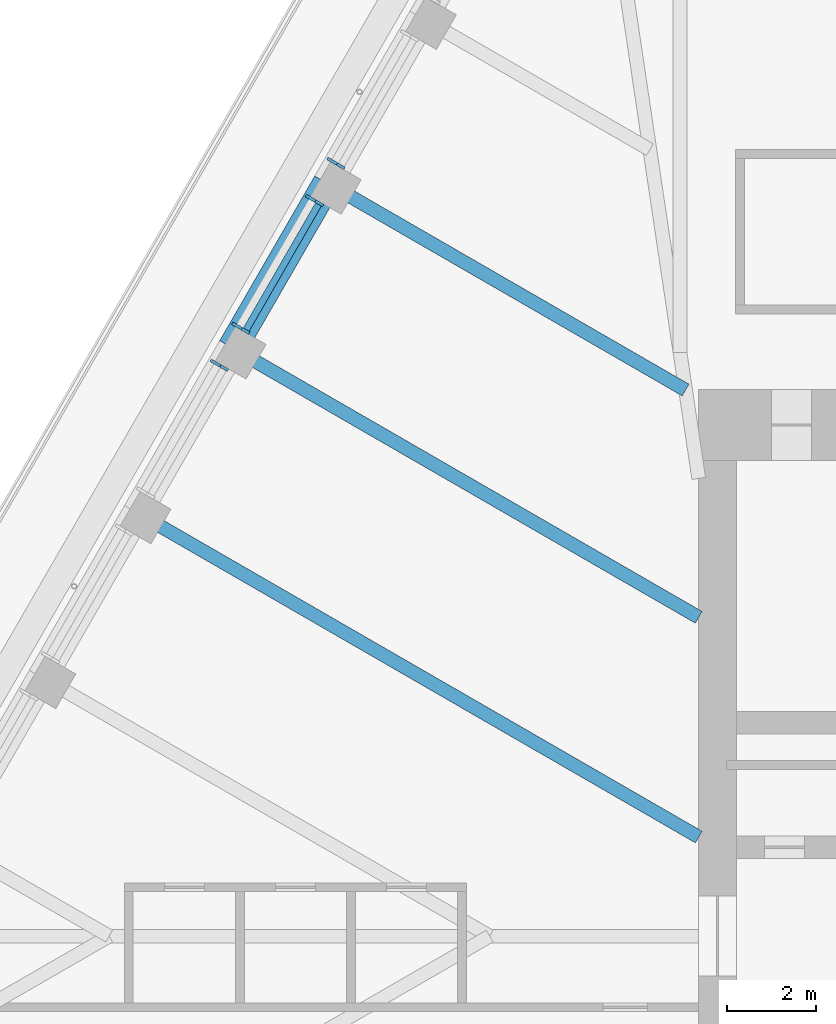
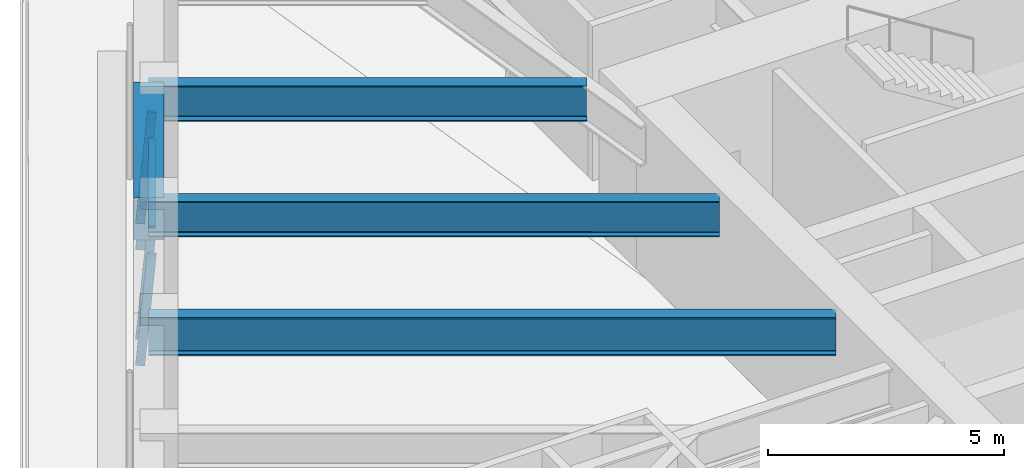
# One storey, part 7 of 19: 5 members, 4 beams, 3 elements without a shape of their own.
"""IFC4 building model written with IfcOpenShell, lengths in metres."""

from ifc_helpers import new_model, si_unit, direction, frame, origin, origin_2d, place, context, subcontext, project, spatial, rectangle, i_section, extrude, material, material_profile, profile_set, type_object, element, aggregate, save


model = new_model("IFC4")

# Units and contexts
model_context = context("Model", 3, precision=1e-05, world=origin(), true_north=direction((0.0, 1.0)))
body_context = subcontext(model_context, "Body", "Model", "MODEL_VIEW")
ifc_project = project(units=[si_unit("LENGTHUNIT", "METRE"), si_unit("AREAUNIT", "SQUARE_METRE"), si_unit("VOLUMEUNIT", "CUBIC_METRE"), si_unit("PLANEANGLEUNIT", "RADIAN"), si_unit("MASSUNIT", "GRAM", prefix="KILO")], contexts=[model_context])

# Site, building, storey
site_placement = place(None, origin())
site = spatial("IfcSite", under=ifc_project, at=site_placement, CompositionType="ELEMENT")
building_placement = place(site_placement, origin())
building = spatial("IfcBuilding", under=site, at=building_placement, Name="Tarfa Lantern Tower", CompositionType="ELEMENT")
storey_placement = place(building_placement, frame((0.0, 0.0, 357.699951171875)))
storey = spatial("IfcBuildingStorey", under=building, at=storey_placement, Name="L81", CompositionType="ELEMENT", Elevation=357.699951171875)

# Curtain wall, member
ifc_material_1 = material(Name="Aluminium framed curtain wall", Category="aluminium")
curtain_wall_type = type_object("IfcCurtainWallType", Name="CW4 CANTED GLAZING EXECUTIVE ZONE 2900", PredefinedType="USERDEFINED", material=ifc_material_1)
curtain_wall_1_placement = place(storey_placement, origin())
curtain_wall_1 = element("IfcCurtainWall", 1, at=curtain_wall_1_placement, inside=storey, type_object=curtain_wall_type, Name="CW4 NW L81", ObjectType="CURTAIN WALL", PredefinedType="USERDEFINED")
ifc_material_2 = material(Name="Aluminium mullion", Category="aluminium")
ifc_material_profile_1 = material_profile(ifc_material_2, rectangle(XDim=0.06494140625, YDim=0.199951171875, at=origin_2d()), Name="AL MULLION 65x200")
ifc_profile_set_1 = profile_set([ifc_material_profile_1], Name="Aluminium mullion")
member_type_1 = type_object("IfcMemberType", Name="CWM1 MULLION 65x200", PredefinedType="MULLION", material=ifc_profile_set_1)
member_1_placement = place(storey_placement, frame((-20.697265625, 17.451171875, 0.0), z_axis=(0.074393603155, -0.042941967097, 0.996303959277), x_axis=(0.499919672301, 0.866071776036, 0.0)))
member_1 = element("IfcMember", 2, at=member_1_placement, type_object=member_type_1, Name="CW4 mullion 2", PredefinedType="MULLION", context=body_context, shape_type="SweptSolid", body=[
    extrude(rectangle(XDim=0.06494140625, YDim=0.199951171875, at=origin_2d()), origin(), (0.0, 0.0, 1.0), 2.910888671875),
])
aggregate(curtain_wall_1, [member_1])

# Curtain wall, members
curtain_wall_2_placement = place(storey_placement, origin())
curtain_wall_2 = element("IfcCurtainWall", 3, at=curtain_wall_2_placement, inside=storey, type_object=curtain_wall_type, Name="CW4 NW L81", ObjectType="CURTAIN WALL", PredefinedType="USERDEFINED")
member_2_placement = place(storey_placement, frame((-21.179931640625, 16.615478515625, 0.0), z_axis=(0.074393603155, -0.042941967097, 0.996303959277), x_axis=(0.499919672301, 0.866071776036, 0.0)))
member_2 = element("IfcMember", 4, at=member_2_placement, type_object=member_type_1, Name="CW4 mullion 1", PredefinedType="MULLION", context=body_context, shape_type="SweptSolid", body=[
    extrude(rectangle(XDim=0.06494140625, YDim=0.199951171875, at=origin_2d()), origin(), (0.0, 0.0, 1.0), 2.910888671875),
])
member_3_placement = place(storey_placement, frame((-22.83837890625, 13.742919921875, 0.0), z_axis=(0.074393603155, -0.042941967097, 0.996303959277), x_axis=(0.499919672301, 0.866071776036, 0.0)))
member_3 = element("IfcMember", 5, at=member_3_placement, type_object=member_type_1, Name="CW4 mullion 2", PredefinedType="MULLION", context=body_context, shape_type="SweptSolid", body=[
    extrude(rectangle(XDim=0.06494140625, YDim=0.199951171875, at=origin_2d()), origin(), (0.0, 0.0, 1.0), 2.910888671875),
])

# Curtain wall, member
curtain_wall_3_placement = place(storey_placement, origin())
curtain_wall_3 = element("IfcCurtainWall", 6, at=curtain_wall_3_placement, inside=storey, type_object=curtain_wall_type, Name="CW4 NW L81", ObjectType="CURTAIN WALL", PredefinedType="USERDEFINED")
member_4_placement = place(storey_placement, frame((-23.32080078125, 12.9072265625, 0.0), z_axis=(0.074393603155, -0.042941967097, 0.996303959277), x_axis=(0.499919672301, 0.866071776036, 0.0)))
member_4 = element("IfcMember", 7, at=member_4_placement, type_object=member_type_1, Name="CW4 mullion 1", PredefinedType="MULLION", context=body_context, shape_type="SweptSolid", body=[
    extrude(rectangle(XDim=0.06494140625, YDim=0.199951171875, at=origin_2d()), origin(), (0.0, 0.0, 1.0), 2.910888671875),
])
aggregate(curtain_wall_3, [member_4])

# Member
ifc_material_3 = material(Name="Aluminium transom", Category="aluminium")
ifc_material_profile_2 = material_profile(ifc_material_3, rectangle(XDim=0.14990234375, YDim=0.06494140625, at=origin_2d()), Name="AL TRANSOM 150x65")
ifc_profile_set_2 = profile_set([ifc_material_profile_2], Name="Aluminium transom")
member_type_2 = type_object("IfcMemberType", Name="CWT1 TRANSOM 150x65", PredefinedType="USERDEFINED", material=ifc_profile_set_2)
member_5_placement = place(storey_placement, frame((-20.98193359375, 16.463623046875, 2.867431640625), z_axis=(-0.500014901547, -0.866016800201, 0.0), x_axis=(0.866016800201, -0.500014901547, 0.0)))
member_5 = element("IfcMember", 8, at=member_5_placement, type_object=member_type_2, Name="CW4 transom 1.2", ObjectType="TRANSOM", PredefinedType="USERDEFINED", context=body_context, shape_type="SweptSolid", body=[
    extrude(rectangle(XDim=0.14990234375, YDim=0.06494140625, at=origin_2d()), origin(), (0.0, 0.0, 1.0), 3.251953125),
])

aggregate(curtain_wall_2, [member_2, member_3, member_5])

# Beams
ifc_material_4 = material(Name="Concrete C80/95", Category="concrete")
ifc_material_profile_3 = material_profile(ifc_material_4, rectangle(XDim=0.64990234375, YDim=1.10009765625, at=origin_2d()), Name="RC 650x1100")
ifc_profile_set_3 = profile_set([ifc_material_profile_3], Name="Concrete C80/95")
beam_type_1 = type_object("IfcBeamType", Name="EB4 RC 650x1100", PredefinedType="SPANDREL", material=ifc_profile_set_3)
beam_1_placement = place(storey_placement, frame((-20.78271484375, 16.943359375, 3.449951171875), z_axis=(-0.499984039138, -0.866034618596, 0.0), x_axis=(0.866034618596, -0.499984039138, 0.0)))
element("IfcBeam", 9, at=beam_1_placement, inside=storey, type_object=beam_type_1, Name="Edge beam NW2", PredefinedType="SPANDREL", context=body_context, shape_type="SweptSolid", body=[
    extrude(rectangle(XDim=0.64990234375, YDim=1.10009765625, at=origin_2d()), origin(), (0.0, 0.0, 1.0), 4.281982421875),
])
ifc_material_5 = material(Name="Steel S460M", Category="steel")
ifc_material_profile_4 = material_profile(ifc_material_5, i_section(OverallWidth=0.302001953125, OverallDepth=1.008056640625, WebThickness=0.02099609375, FlangeThickness=0.0400390625, FilletRadius=0.030029296875, at=origin_2d()), Name="UB1016x305x349")
ifc_profile_set_4 = profile_set([ifc_material_profile_4], Name="Steel S460M")
beam_type_2 = type_object("IfcBeamType", Name="UB1016x305x349", PredefinedType="BEAM", material=ifc_profile_set_4)
beam_2_placement = place(storey_placement, frame((-25.064697265625, 9.526611328125, 3.49609375), z_axis=(0.866029591389, -0.499992746786, 0.0), x_axis=(0.499992746786, 0.866029591389, 0.0)))
element("IfcBeam", 10, at=beam_2_placement, inside=storey, type_object=beam_type_2, Name="Floor beam NW4", PredefinedType="BEAM", context=body_context, shape_type="SweptSolid", body=[
    extrude(i_section(OverallWidth=0.302001953125, OverallDepth=1.008056640625, WebThickness=0.02099609375, FlangeThickness=0.0400390625, FilletRadius=0.030029296875, at=origin_2d()), origin(), (0.0, 0.0, 1.0), 14.594970703125),
])
ifc_material_profile_5 = material_profile(ifc_material_5, i_section(OverallWidth=0.305419921875, OverallDepth=0.91845703125, WebThickness=0.017333984375, FlangeThickness=0.02783203125, FilletRadius=0.01904296875, at=origin_2d()), Name="UB914x305x253")
ifc_profile_set_5 = profile_set([ifc_material_profile_5], Name="Steel S460M")
beam_type_3 = type_object("IfcBeamType", Name="UB914x305x253", PredefinedType="BEAM", material=ifc_profile_set_5)
beam_3_placement = place(storey_placement, frame((-20.78271484375, 16.943359375, 3.540771484375), z_axis=(0.866021806508, -0.500006230613, 0.0), x_axis=(0.500006230613, 0.866021806508, 0.0)))
element("IfcBeam", 11, at=beam_3_placement, inside=storey, type_object=beam_type_3, Name="Floor beam NW2", PredefinedType="BEAM", context=body_context, shape_type="SweptSolid", body=[
    extrude(i_section(OverallWidth=0.305419921875, OverallDepth=0.91845703125, WebThickness=0.017333984375, FlangeThickness=0.02783203125, FilletRadius=0.01904296875, at=origin_2d()), origin(), (0.0, 0.0, 1.0), 9.30908203125),
])
beam_4_placement = place(storey_placement, frame((-22.923583984375, 13.235107421875, 3.540771484375), z_axis=(0.86601856927, -0.500011837539, 0.0), x_axis=(0.500011837539, 0.86601856927, 0.0)))
element("IfcBeam", 12, at=beam_4_placement, inside=storey, type_object=beam_type_3, Name="Floor beam NW3", PredefinedType="BEAM", context=body_context, shape_type="SweptSolid", body=[
    extrude(i_section(OverallWidth=0.305419921875, OverallDepth=0.91845703125, WebThickness=0.017333984375, FlangeThickness=0.02783203125, FilletRadius=0.01904296875, at=origin_2d()), origin(), (0.0, 0.0, 1.0), 12.122802734375),
])

save(model, "model.ifc")
